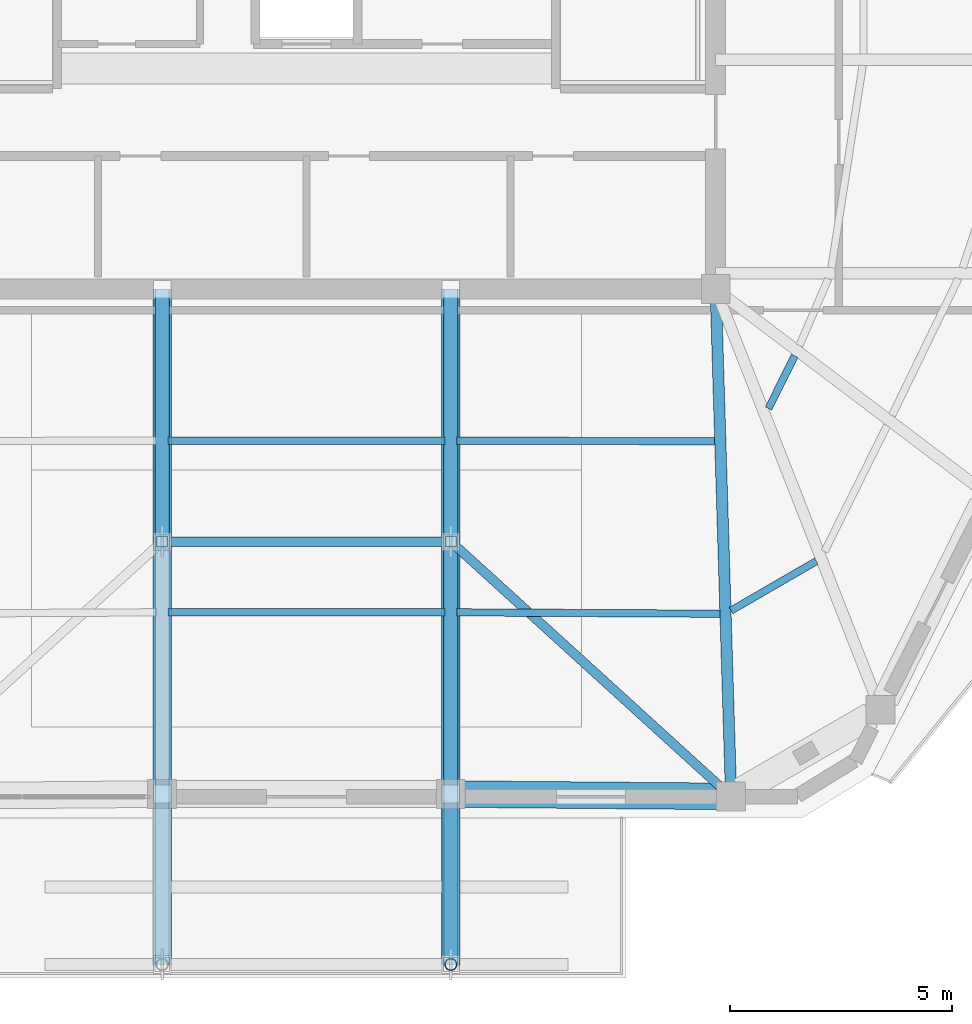
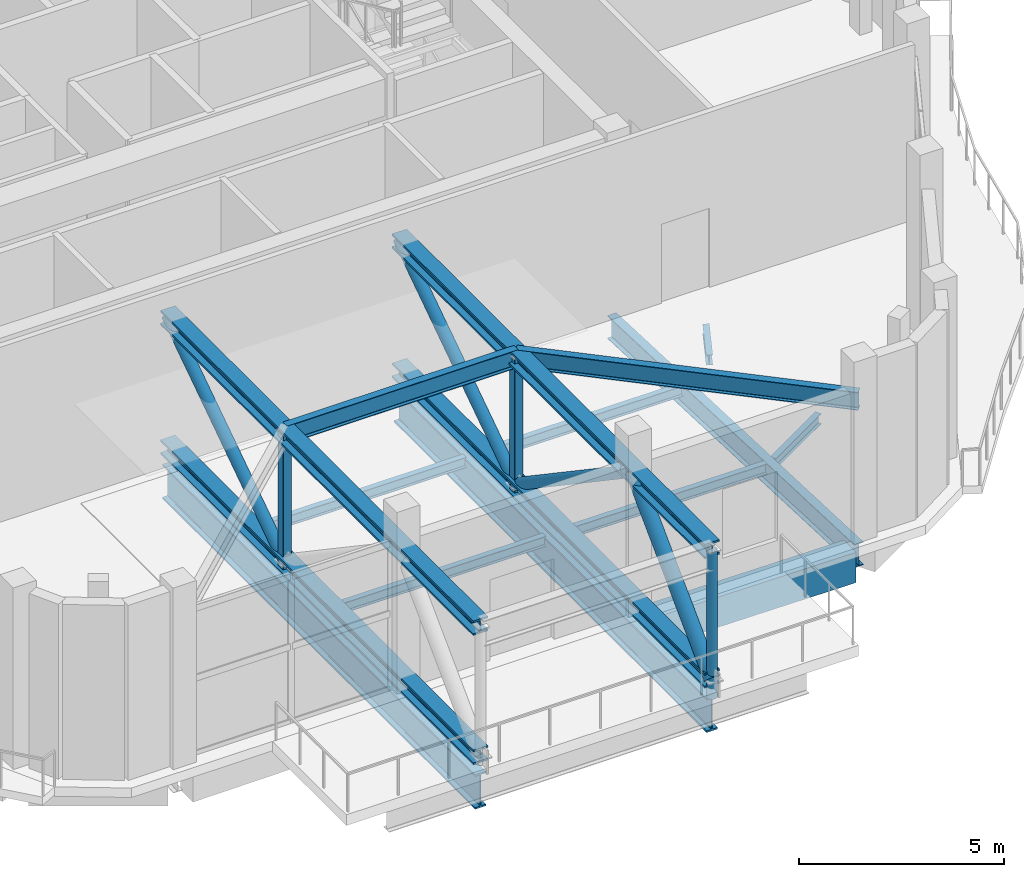
# One storey, part 6 of 23: 12 beams, 11 members.
"""IFC4 building model written with IfcOpenShell, lengths in metres."""

from ifc_helpers import new_model, si_unit, direction, frame, origin, origin_2d, place, context, subcontext, project, spatial, rectangle, hollow_rectangle, hollow_circle, i_section, extrude, material, material_profile, profile_set, type_object, element, save


model = new_model("IFC4")

# Units and contexts
model_context = context("Model", 3, precision=1e-05, world=origin(), true_north=direction((0.0, 1.0)))
body_context = subcontext(model_context, "Body", "Model", "MODEL_VIEW")
ifc_project = project(units=[si_unit("LENGTHUNIT", "METRE"), si_unit("AREAUNIT", "SQUARE_METRE"), si_unit("VOLUMEUNIT", "CUBIC_METRE"), si_unit("PLANEANGLEUNIT", "RADIAN"), si_unit("MASSUNIT", "GRAM", prefix="KILO")], contexts=[model_context])

# Site, building, storey
site_placement = place(None, origin())
site = spatial("IfcSite", under=ifc_project, at=site_placement, CompositionType="ELEMENT")
building_placement = place(site_placement, origin())
building = spatial("IfcBuilding", under=site, at=building_placement, Name="Cinnabar Lancet Tower", CompositionType="ELEMENT")
storey_placement = place(building_placement, frame((0.0, 0.0, 278.10009765625)))
storey = spatial("IfcBuildingStorey", under=building, at=storey_placement, Name="L74", CompositionType="ELEMENT", Elevation=278.10009765625)

# Beams
ifc_material_1 = material(Name="Structural steel S355", Category="steel")
ifc_material_profile_1 = material_profile(ifc_material_1, i_section(OverallWidth=0.1650390625, OverallDepth=0.303466796875, WebThickness=0.006103515625, FlangeThickness=0.01025390625, FilletRadius=0.0087890625, at=origin_2d()), Name="UKB 305x165x40")
ifc_profile_set_1 = profile_set([ifc_material_profile_1], Name="Structural steel S355")
beam_type_1 = type_object("IfcBeamType", Name="STR-BM-JST-305", PredefinedType="JOIST", material=ifc_profile_set_1)
for number, where, z_axis, x_axis, name in (
    (1, (29.27294921875, 11.389892578125, -0.43212890625), (1.0, 0.0, 0.0), (0.0, 1.0, 0.0), "L74 Secondary Floor Joist 10"),
    (2, (29.27294921875, 15.260009765625, -0.43212890625), (1.0, 0.0, 0.0), (0.0, 1.0, 0.0), "L74 Secondary Floor Joist 11"),
):
    element("IfcBeam", number, at=place(storey_placement, frame(where, z_axis=z_axis, x_axis=x_axis)), inside=storey, type_object=beam_type_1, Name=name, PredefinedType="JOIST", context=body_context, shape_type="SweptSolid", body=[
        extrude(i_section(OverallWidth=0.1650390625, OverallDepth=0.303466796875, WebThickness=0.006103515625, FlangeThickness=0.01025390625, FilletRadius=0.0087890625, at=origin_2d()), origin(), (0.0, 0.0, 1.0), 6.254150390625),
    ])
beam_1_placement = place(storey_placement, frame((35.781005859375, 11.388916015625, -0.43212890625), z_axis=(0.999985500209, -0.005385106492, 0.0), x_axis=(0.005385106492, 0.999985500209, 0.0)))
element("IfcBeam", 3, at=beam_1_placement, inside=storey, type_object=beam_type_1, Name="L74 Secondary Floor Joist 12", PredefinedType="JOIST", context=body_context, shape_type="SweptSolid", body=[
    extrude(i_section(OverallWidth=0.1650390625, OverallDepth=0.303466796875, WebThickness=0.006103515625, FlangeThickness=0.01025390625, FilletRadius=0.0087890625, at=origin_2d()), origin(), (0.0, 0.0, 1.0), 5.93896484375),
])
beam_2_placement = place(storey_placement, frame((35.781005859375, 15.260009765625, -0.43212890625), z_axis=(0.999996727303, -0.002558394513, 0.0), x_axis=(0.002558394513, 0.999996727303, 0.0)))
element("IfcBeam", 4, at=beam_2_placement, inside=storey, type_object=beam_type_1, Name="L74 Secondary Floor Joist 13", PredefinedType="JOIST", context=body_context, shape_type="SweptSolid", body=[
    extrude(i_section(OverallWidth=0.1650390625, OverallDepth=0.303466796875, WebThickness=0.006103515625, FlangeThickness=0.01025390625, FilletRadius=0.0087890625, at=origin_2d()), origin(), (0.0, 0.0, 1.0), 5.821044921875),
])
beam_3_placement = place(storey_placement, frame((41.971923828125, 11.427978515625, -0.43212890625), z_axis=(0.865160060745, 0.501495831778, 0.0), x_axis=(-0.501495831778, 0.865160060745, 0.0)))
element("IfcBeam", 5, at=beam_3_placement, inside=storey, type_object=beam_type_1, Name="L74 Secondary Floor Joist 14", PredefinedType="JOIST", context=body_context, shape_type="SweptSolid", body=[
    extrude(i_section(OverallWidth=0.1650390625, OverallDepth=0.303466796875, WebThickness=0.006103515625, FlangeThickness=0.01025390625, FilletRadius=0.0087890625, at=origin_2d()), origin(), (0.0, 0.0, 1.0), 2.219482421875),
])
beam_4_placement = place(storey_placement, frame((42.81591796875, 15.98291015625, -0.43212890625), z_axis=(0.444265357407, 0.895895246225, 0.0), x_axis=(-0.895895246225, 0.444265357407, 0.0)))
element("IfcBeam", 6, at=beam_4_placement, inside=storey, type_object=beam_type_1, Name="L74 Secondary Floor Joist 16", PredefinedType="JOIST", context=body_context, shape_type="SweptSolid", body=[
    extrude(i_section(OverallWidth=0.1650390625, OverallDepth=0.303466796875, WebThickness=0.006103515625, FlangeThickness=0.01025390625, FilletRadius=0.0087890625, at=origin_2d()), origin(), (0.0, 0.0, 1.0), 1.325927734375),
])
ifc_material_2 = material(Name="Concrete C60/75", Category="concrete")
ifc_material_profile_2 = material_profile(ifc_material_2, rectangle(XDim=0.60009765625, YDim=0.89990234375, at=origin_2d()), Name="RC-SB 600x900")
ifc_profile_set_2 = profile_set([ifc_material_profile_2], Name="Concrete C60/75")
beam_type_2 = type_object("IfcBeamType", Name="STR-BM-RCSB-900", PredefinedType="SPANDREL", material=ifc_profile_set_2)
beam_5_placement = place(storey_placement, frame((35.904052734375, 7.2900390625, -0.72998046875), z_axis=(0.999964429427, -0.00843444609, 0.0), x_axis=(0.00843444609, 0.999964429427, 0.0)))
element("IfcBeam", 7, at=beam_5_placement, inside=storey, type_object=beam_type_2, Name="L74 Perimeter Spandrel 3", PredefinedType="SPANDREL", context=body_context, shape_type="SweptSolid", body=[
    extrude(rectangle(XDim=0.60009765625, YDim=0.89990234375, at=origin_2d()), origin(), (0.0, 0.0, 1.0), 5.818115234375),
])
ifc_material_3 = material(Name="Structural steel S460", Category="steel")
ifc_material_profile_3 = material_profile(ifc_material_3, i_section(OverallWidth=0.305419921875, OverallDepth=1.02587890625, WebThickness=0.02685546875, FlangeThickness=0.049072265625, FilletRadius=0.030029296875, at=origin_2d()), Name="UKB 1016x305x437")
ifc_profile_set_3 = profile_set([ifc_material_profile_3], Name="Structural steel S460")
beam_type_3 = type_object("IfcBeamType", Name="STR-BM-SP-CANT", PredefinedType="BEAM", material=ifc_profile_set_3)
for number, where, z_axis, x_axis, name in (
    (8, (29.14599609375, 3.449951171875, -0.8330078125), (0.0, 1.0, 0.0), (-1.0, 0.0, 0.0), "L74 Sky-Pool Cantilever and Back-Span Girder 1"),
    (9, (35.654052734375, 3.449951171875, -0.8330078125), (0.0, 1.0, 0.0), (-1.0, 0.0, 0.0), "L74 Sky-Pool Cantilever and Back-Span Girder 2"),
):
    element("IfcBeam", number, at=place(storey_placement, frame(where, z_axis=z_axis, x_axis=x_axis)), inside=storey, type_object=beam_type_3, Name=name, PredefinedType="BEAM", context=body_context, shape_type="SweptSolid", body=[
        extrude(i_section(OverallWidth=0.305419921875, OverallDepth=1.02587890625, WebThickness=0.02685546875, FlangeThickness=0.049072265625, FilletRadius=0.030029296875, at=origin_2d()), origin(), (0.0, 0.0, 1.0), 15.22509765625),
    ])
ifc_material_4 = material(Name="Structural steel S355", Category="steel")
ifc_material_profile_4 = material_profile(ifc_material_4, i_section(OverallWidth=0.209228515625, OverallDepth=0.533203125, WebThickness=0.010009765625, FlangeThickness=0.015625, FilletRadius=0.0126953125, at=origin_2d()), Name="UKB 533x210x92")
ifc_profile_set_4 = profile_set([ifc_material_profile_4], Name="Structural steel S355")
beam_type_4 = type_object("IfcBeamType", Name="STR-BM-UKB533-92", PredefinedType="BEAM", material=ifc_profile_set_4)
beam_6_placement = place(storey_placement, frame((29.14599609375, 12.98291015625, 4.0029296875), z_axis=(1.0, 0.0, 0.0), x_axis=(0.0, 1.0, 0.0)))
element("IfcBeam", 10, at=beam_6_placement, inside=storey, type_object=beam_type_4, Name="L74 Sky-Pool Top Tie 2", PredefinedType="BEAM", context=body_context, shape_type="SweptSolid", body=[
    extrude(i_section(OverallWidth=0.209228515625, OverallDepth=0.533203125, WebThickness=0.010009765625, FlangeThickness=0.015625, FilletRadius=0.0126953125, at=origin_2d()), origin(), (0.0, 0.0, 1.0), 6.508056640625),
])
beam_7_placement = place(storey_placement, frame((35.654052734375, 12.98291015625, 4.0029296875), z_axis=(0.739918078729, -0.672696987335, 0.0), x_axis=(0.672696987335, 0.739918078729, 0.0)))
element("IfcBeam", 11, at=beam_7_placement, inside=storey, type_object=beam_type_4, Name="L74 Sky-Pool Top Tie 3", PredefinedType="BEAM", context=body_context, shape_type="SweptSolid", body=[
    extrude(i_section(OverallWidth=0.209228515625, OverallDepth=0.533203125, WebThickness=0.010009765625, FlangeThickness=0.015625, FilletRadius=0.0126953125, at=origin_2d()), origin(), (0.0, 0.0, 1.0), 8.53857421875),
])
ifc_material_5 = material(Name="Structural steel S355", Category="steel")
ifc_material_profile_5 = material_profile(ifc_material_5, i_section(OverallWidth=0.253662109375, OverallDepth=0.68359375, WebThickness=0.012451171875, FlangeThickness=0.01904296875, FilletRadius=0.01513671875, at=origin_2d()), Name="UKB 686x254x140")
ifc_profile_set_5 = profile_set([ifc_material_profile_5], Name="Structural steel S355")
beam_type_5 = type_object("IfcBeamType", Name="STR-BM-UKB686-140", PredefinedType="BEAM", material=ifc_profile_set_5)
beam_8_placement = place(storey_placement, frame((41.971923828125, 7.239013671875, -0.6220703125), z_axis=(-0.030322074123, 0.999540180193, 0.0), x_axis=(-0.999540180193, -0.030322074123, 0.0)))
element("IfcBeam", 12, at=beam_8_placement, inside=storey, type_object=beam_type_5, Name="L74 Primary Floor Girder 4", PredefinedType="BEAM", context=body_context, shape_type="SweptSolid", body=[
    extrude(i_section(OverallWidth=0.253662109375, OverallDepth=0.68359375, WebThickness=0.012451171875, FlangeThickness=0.01904296875, FilletRadius=0.01513671875, at=origin_2d()), origin(), (0.0, 0.0, 1.0), 11.44140625),
])

# Members
ifc_material_6 = material(Name="Structural steel S460", Category="steel")
ifc_material_profile_6 = material_profile(ifc_material_6, hollow_rectangle(XDim=0.25, YDim=0.25, WallThickness=0.012451171875, InnerFilletRadius=0.00634765625, OuterFilletRadius=0.018798828125, at=origin_2d()), Name="SHS 250x250x12.5")
ifc_profile_set_6 = profile_set([ifc_material_profile_6], Name="Structural steel S460")
member_type_1 = type_object("IfcMemberType", Name="STR-MEM-BT-PST250", PredefinedType="STRUT", material=ifc_profile_set_6)
for number, where, z_axis, x_axis, name in (
    (13, (29.14599609375, 12.98291015625, 0.0), (0.0, 0.0, 1.0), (1.0, 0.0, 0.0), "L74 Sky-Pool Truss 1 Vertical Post"),
    (14, (35.654052734375, 12.98291015625, 0.0), (0.0, 0.0, 1.0), (1.0, 0.0, 0.0), "L74 Sky-Pool Truss 2 Vertical Post"),
):
    element("IfcMember", number, at=place(storey_placement, frame(where, z_axis=z_axis, x_axis=x_axis)), inside=storey, type_object=member_type_1, Name=name, PredefinedType="STRUT", context=body_context, shape_type="SweptSolid", body=[
        extrude(hollow_rectangle(XDim=0.25, YDim=0.25, WallThickness=0.012451171875, InnerFilletRadius=0.00634765625, OuterFilletRadius=0.018798828125, at=origin_2d()), origin(), (0.0, 0.0, 1.0), 4.0498046875),
    ])
ifc_material_7 = material(Name="Structural steel S460", Category="steel")
ifc_material_profile_7 = material_profile(ifc_material_7, hollow_circle(Radius=0.203125, WallThickness=0.02001953125, at=origin_2d()), Name="CHS 406.4x20")
ifc_profile_set_7 = profile_set([ifc_material_profile_7], Name="Structural steel S460")
member_type_2 = type_object("IfcMemberType", Name="STR-MEM-SP-BRC-EXT", PredefinedType="BRACE", material=ifc_profile_set_7)
member_1_placement = place(storey_placement, frame((35.654052734375, 3.449951171875, 0.2099609375), z_axis=(0.0, 0.707309007489, 0.706904497032), x_axis=(-1.0, 0.0, 0.0)))
element("IfcMember", 15, at=member_1_placement, inside=storey, type_object=member_type_2, Name="L74 Sky-Pool Truss 2 Diagonal 1", PredefinedType="BRACE", context=body_context, shape_type="SweptSolid", body=[
    extrude(hollow_circle(Radius=0.203125, WallThickness=0.02001953125, at=origin_2d()), origin(), (0.0, 0.0, 1.0), 5.431884765625),
])
ifc_material_8 = material(Name="Structural steel S460", Category="steel")
ifc_material_profile_8 = material_profile(ifc_material_8, hollow_circle(Radius=0.161865234375, WallThickness=0.01611328125, at=origin_2d()), Name="CHS 323.9x16")
ifc_profile_set_8 = profile_set([ifc_material_profile_8], Name="Structural steel S460")
member_type_3 = type_object("IfcMemberType", Name="STR-MEM-SP-BRC323", PredefinedType="BRACE", material=ifc_profile_set_8)
member_2_placement = place(storey_placement, frame((29.14599609375, 12.98291015625, 0.2099609375), z_axis=(0.0, 0.829007341108, 0.559237720821), x_axis=(-1.0, 0.0, 0.0)))
element("IfcMember", 16, at=member_2_placement, inside=storey, type_object=member_type_3, Name="L74 Sky-Pool Truss 1 Diagonal 3", PredefinedType="BRACE", context=body_context, shape_type="SweptSolid", body=[
    extrude(hollow_circle(Radius=0.161865234375, WallThickness=0.01611328125, at=origin_2d()), origin(), (0.0, 0.0, 1.0), 6.8662109375),
])
member_3_placement = place(storey_placement, frame((35.654052734375, 7.2919921875, 4.0498046875), z_axis=(0.0, 0.828951727395, -0.559320153087), x_axis=(-1.0, 0.0, 0.0)))
element("IfcMember", 17, at=member_3_placement, inside=storey, type_object=member_type_3, Name="L74 Sky-Pool Truss 2 Diagonal 2", PredefinedType="BRACE", context=body_context, shape_type="SweptSolid", body=[
    extrude(hollow_circle(Radius=0.161865234375, WallThickness=0.01611328125, at=origin_2d()), origin(), (0.0, 0.0, 1.0), 6.865234375),
])
member_4_placement = place(storey_placement, frame((35.654052734375, 12.98291015625, 0.2099609375), z_axis=(0.0, 0.829007341108, 0.559237720821), x_axis=(-1.0, 0.0, 0.0)))
element("IfcMember", 18, at=member_4_placement, inside=storey, type_object=member_type_3, Name="L74 Sky-Pool Truss 2 Diagonal 3", PredefinedType="BRACE", context=body_context, shape_type="SweptSolid", body=[
    extrude(hollow_circle(Radius=0.161865234375, WallThickness=0.01611328125, at=origin_2d()), origin(), (0.0, 0.0, 1.0), 6.8662109375),
])
ifc_material_9 = material(Name="Structural steel S460", Category="steel")
ifc_material_profile_9 = material_profile(ifc_material_9, i_section(OverallWidth=0.412109375, OverallDepth=0.43505859375, WebThickness=0.035888671875, FlangeThickness=0.05810546875, FilletRadius=0.014892578125, at=origin_2d()), Name="HD 400x463")
ifc_profile_set_9 = profile_set([ifc_material_profile_9], Name="Structural steel S460")
member_type_4 = type_object("IfcMemberType", Name="STR-MEM-SP-CHD-EXT", PredefinedType="CHORD", material=ifc_profile_set_9)
for number, where, z_axis, x_axis, name in (
    (19, (29.14599609375, 3.449951171875, 0.2099609375), (0.0, 1.0, 0.0), (-1.0, 0.0, 0.0), "L74 Sky-Pool Truss 1 Continuous Chord BC"),
    (20, (29.14599609375, 3.449951171875, 4.0498046875), (0.0, 1.0, 0.0), (-1.0, 0.0, 0.0), "L74 Sky-Pool Truss 1 Continuous Chord TC"),
    (21, (35.654052734375, 3.449951171875, 0.2099609375), (0.0, 1.0, 0.0), (-1.0, 0.0, 0.0), "L74 Sky-Pool Truss 2 Continuous Chord BC"),
    (22, (35.654052734375, 3.449951171875, 4.0498046875), (0.0, 1.0, 0.0), (-1.0, 0.0, 0.0), "L74 Sky-Pool Truss 2 Continuous Chord TC"),
):
    element("IfcMember", number, at=place(storey_placement, frame(where, z_axis=z_axis, x_axis=x_axis)), inside=storey, type_object=member_type_4, Name=name, PredefinedType="CHORD", context=body_context, shape_type="SweptSolid", body=[
        extrude(i_section(OverallWidth=0.412109375, OverallDepth=0.43505859375, WebThickness=0.035888671875, FlangeThickness=0.05810546875, FilletRadius=0.014892578125, at=origin_2d()), origin(), (0.0, 0.0, 1.0), 15.22509765625),
    ])
ifc_material_10 = material(Name="Structural steel S460", Category="steel")
ifc_material_profile_10 = material_profile(ifc_material_10, hollow_circle(Radius=0.136474609375, WallThickness=0.012451171875, at=origin_2d()), Name="CHS 273x12.5")
ifc_profile_set_10 = profile_set([ifc_material_profile_10], Name="Structural steel S460")
member_type_5 = type_object("IfcMemberType", Name="STR-MEM-SP-PST273", PredefinedType="STRUT", material=ifc_profile_set_10)
member_5_placement = place(storey_placement, frame((35.654052734375, 3.449951171875, -0.320068359375), z_axis=(0.0, 0.0, 1.0), x_axis=(1.0, 0.0, 0.0)))
element("IfcMember", 23, at=member_5_placement, inside=storey, type_object=member_type_5, Name="L74 Sky-Pool Truss 2 Vertical Post", PredefinedType="STRUT", context=body_context, shape_type="SweptSolid", body=[
    extrude(hollow_circle(Radius=0.136474609375, WallThickness=0.012451171875, at=origin_2d()), origin(), (0.0, 0.0, 1.0), 4.369873046875),
])

save(model, "model.ifc")
